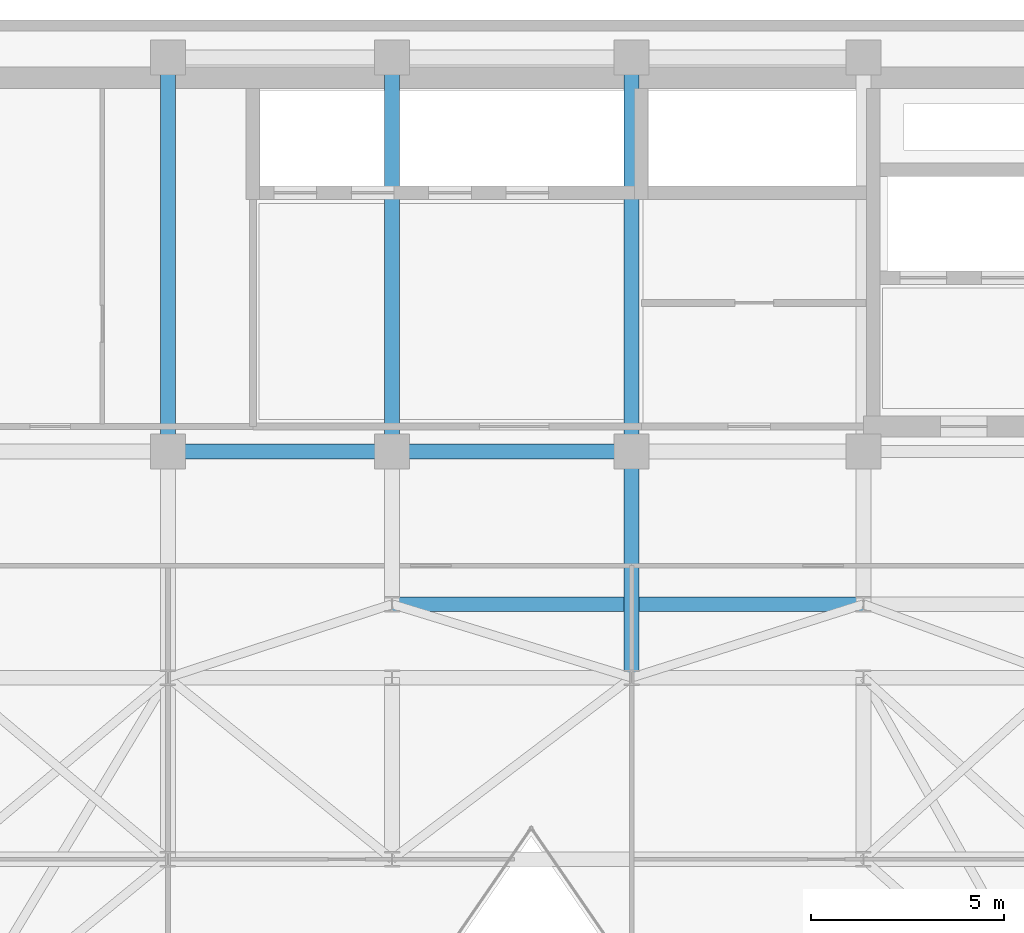
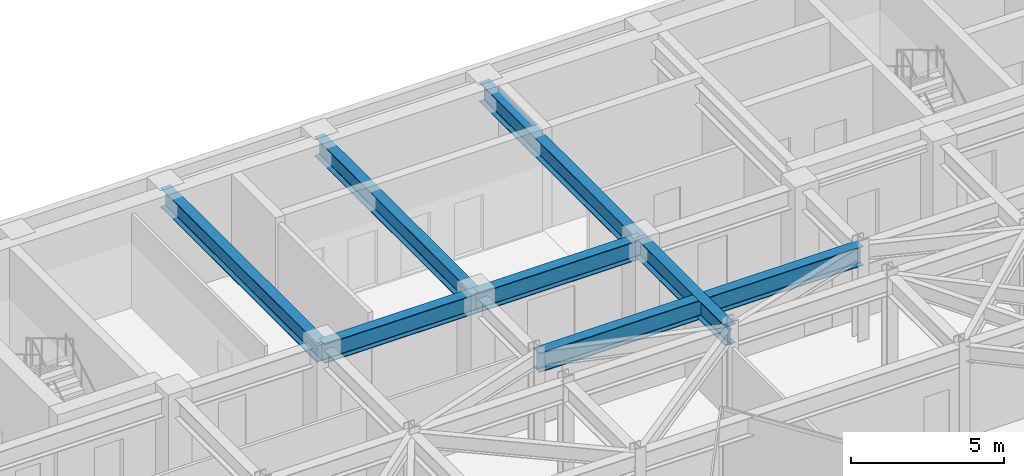
# One storey, part 9 of 21: 7 beams.
"""IFC4 building model written with IfcOpenShell, lengths in metres."""

from ifc_helpers import new_model, si_unit, direction, frame, origin, origin_2d, place, context, subcontext, project, spatial, i_section, extrude, material, material_profile, profile_set, type_object, element, save


model = new_model("IFC4")

# Units and contexts
model_context = context("Model", 3, precision=1e-05, world=origin(), true_north=direction((0.0, 1.0)))
body_context = subcontext(model_context, "Body", "Model", "MODEL_VIEW")
ifc_project = project(units=[si_unit("LENGTHUNIT", "METRE"), si_unit("AREAUNIT", "SQUARE_METRE"), si_unit("VOLUMEUNIT", "CUBIC_METRE"), si_unit("PLANEANGLEUNIT", "RADIAN"), si_unit("MASSUNIT", "GRAM", prefix="KILO")], contexts=[model_context])

# Site, building, storey
site_placement = place(None, origin())
site = spatial("IfcSite", under=ifc_project, at=site_placement, CompositionType="ELEMENT")
building_placement = place(site_placement, origin())
building = spatial("IfcBuilding", under=site, at=building_placement, Name="Kravanh Interchange Tower", CompositionType="ELEMENT")
storey_placement = place(building_placement, frame((0.0, 0.0, 208.5)))
storey = spatial("IfcBuildingStorey", under=building, at=storey_placement, Name="L50", CompositionType="ELEMENT", Elevation=208.5)

# Beams
ifc_material = material(Name="Structural Steel S355", Category="steel")
ifc_material_profile = material_profile(ifc_material, i_section(OverallWidth=0.381103515625, OverallDepth=0.77294921875, WebThickness=0.0166015625, FlangeThickness=0.027099609375, FilletRadius=0.02490234375, at=origin_2d()), Name="W30X173")
ifc_profile_set = profile_set([ifc_material_profile], Name="Structural Steel S355")
beam_type = type_object("IfcBeamType", Name="Floor Beam W30X173 Structural Steel S355", PredefinedType="BEAM", material=ifc_profile_set)
beam_1_placement = place(storey_placement, frame((44.800048828125, 37.35009765625, 3.368408203125), z_axis=(0.0, -1.0, 0.0), x_axis=(1.0, 0.0, 0.0)))
element("IfcBeam", 1, at=beam_1_placement, inside=storey, type_object=beam_type, Name="L50 Primary Floor Girder 12", PredefinedType="BEAM", context=body_context, shape_type="SweptSolid", body=[
    extrude(i_section(OverallWidth=0.381103515625, OverallDepth=0.77294921875, WebThickness=0.0166015625, FlangeThickness=0.027099609375, FilletRadius=0.02490234375, at=origin_2d()), origin(), (0.0, 0.0, 1.0), 5.85009765625),
])
beam_2_placement = place(storey_placement, frame((44.800048828125, 37.35009765625, 3.368408203125), z_axis=(-1.0, 0.0, 0.0), x_axis=(0.0, -1.0, 0.0)))
element("IfcBeam", 2, at=beam_2_placement, inside=storey, type_object=beam_type, Name="L50 Primary Floor Girder 13", PredefinedType="BEAM", context=body_context, shape_type="SweptSolid", body=[
    extrude(i_section(OverallWidth=0.381103515625, OverallDepth=0.77294921875, WebThickness=0.0166015625, FlangeThickness=0.027099609375, FilletRadius=0.02490234375, at=origin_2d()), origin(), (0.0, 0.0, 1.0), 6.199951171875),
])
beam_3_placement = place(storey_placement, frame((44.800048828125, 37.35009765625, 3.368408203125), z_axis=(0.0, 1.0, 0.0), x_axis=(-1.0, 0.0, 0.0)))
element("IfcBeam", 3, at=beam_3_placement, inside=storey, type_object=beam_type, Name="L50 Primary Floor Girder 14", PredefinedType="BEAM", context=body_context, shape_type="SweptSolid", body=[
    extrude(i_section(OverallWidth=0.381103515625, OverallDepth=0.77294921875, WebThickness=0.0166015625, FlangeThickness=0.027099609375, FilletRadius=0.02490234375, at=origin_2d()), origin(), (0.0, 0.0, 1.0), 10.199951171875),
])
beam_4_placement = place(storey_placement, frame((38.60009765625, 37.35009765625, 3.368408203125), z_axis=(-1.0, 0.0, 0.0), x_axis=(0.0, -1.0, 0.0)))
element("IfcBeam", 4, at=beam_4_placement, inside=storey, type_object=beam_type, Name="L50 Primary Floor Girder 17", PredefinedType="BEAM", context=body_context, shape_type="SweptSolid", body=[
    extrude(i_section(OverallWidth=0.381103515625, OverallDepth=0.77294921875, WebThickness=0.0166015625, FlangeThickness=0.027099609375, FilletRadius=0.02490234375, at=origin_2d()), origin(), (0.0, 0.0, 1.0), 5.800048828125),
])
for number, where, z_axis, x_axis, name in (
    (5, (38.60009765625, 37.35009765625, 3.368408203125), (0.0, 1.0, 0.0), (-1.0, 0.0, 0.0), "L50 Primary Floor Girder 18"),
    (6, (32.800048828125, 37.35009765625, 3.368408203125), (0.0, 1.0, 0.0), (-1.0, 0.0, 0.0), "L50 Primary Floor Girder 22"),
):
    element("IfcBeam", number, at=place(storey_placement, frame(where, z_axis=z_axis, x_axis=x_axis)), inside=storey, type_object=beam_type, Name=name, PredefinedType="BEAM", context=body_context, shape_type="SweptSolid", body=[
        extrude(i_section(OverallWidth=0.381103515625, OverallDepth=0.77294921875, WebThickness=0.0166015625, FlangeThickness=0.027099609375, FilletRadius=0.02490234375, at=origin_2d()), origin(), (0.0, 0.0, 1.0), 10.199951171875),
    ])
beam_5_placement = place(storey_placement, frame((38.60009765625, 33.39990234375, 3.368408203125), z_axis=(1.0, 0.0, 0.0), x_axis=(0.0, 1.0, 0.0)))
element("IfcBeam", 7, at=beam_5_placement, inside=storey, type_object=beam_type, Name="L50 Primary Floor Girder 94", PredefinedType="BEAM", context=body_context, shape_type="SweptSolid", body=[
    extrude(i_section(OverallWidth=0.381103515625, OverallDepth=0.77294921875, WebThickness=0.0166015625, FlangeThickness=0.027099609375, FilletRadius=0.02490234375, at=origin_2d()), origin(), (0.0, 0.0, 1.0), 12.199951171875),
])

save(model, "model.ifc")
